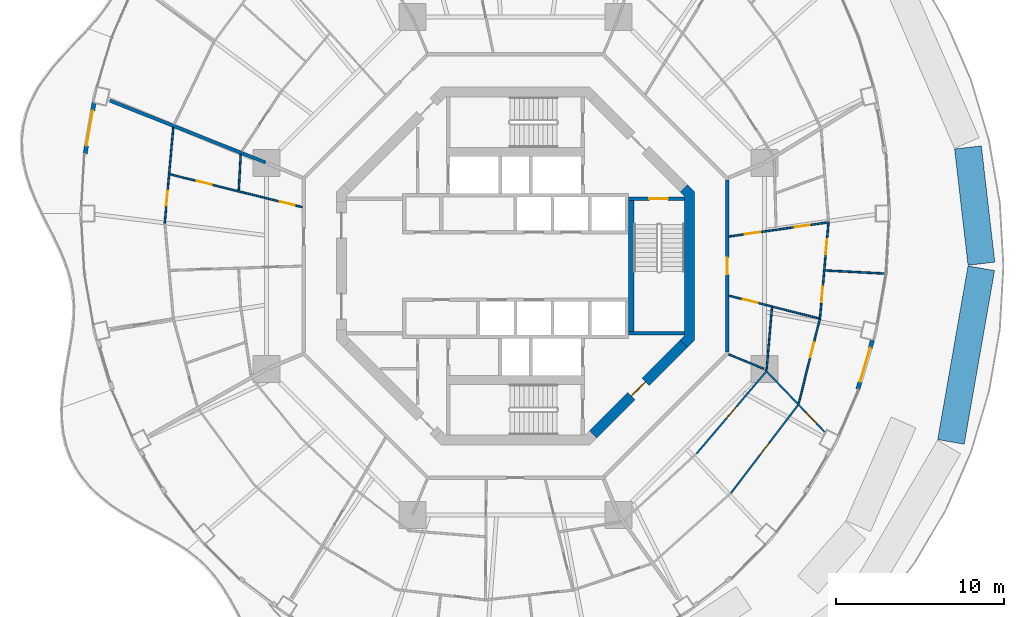
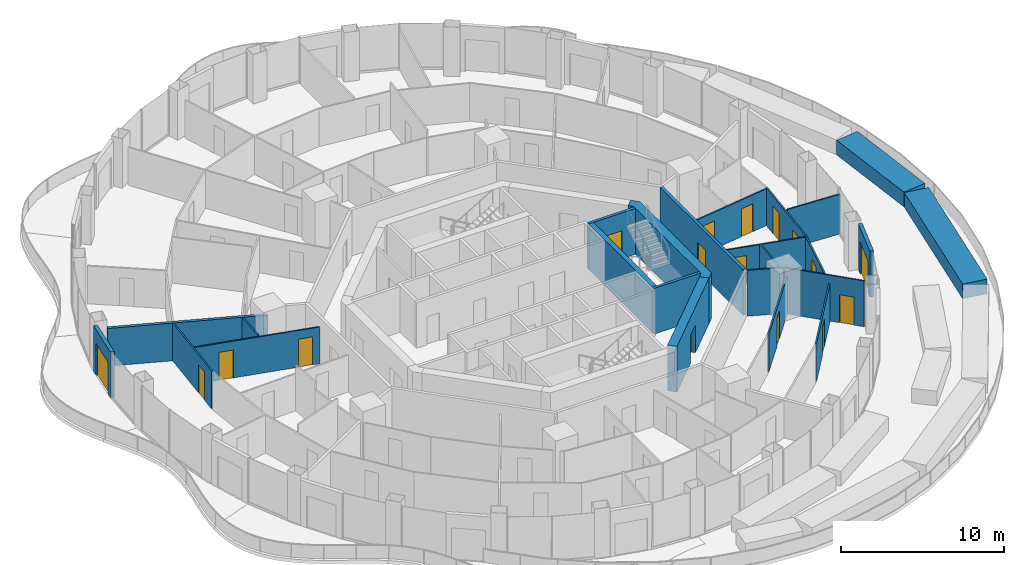
# One storey, part 12 of 18: 24 walls, 17 doors, 17 openings.
"""IFC4 building model written with IfcOpenShell, lengths in metres."""

from ifc_helpers import new_model, si_unit, direction, frame, frame_2d, origin, place, context, subcontext, project, spatial, polyline, rectangle, outline, extrude, material, layer, layer_set, type_object, element, fill, save


model = new_model("IFC4")

# Units and contexts
model_context = context("Model", 3, precision=1e-05, world=origin(), true_north=direction((0.0, 1.0)))
body_context = subcontext(model_context, "Body", "Model", "MODEL_VIEW")
ifc_project = project(units=[si_unit("LENGTHUNIT", "METRE"), si_unit("AREAUNIT", "SQUARE_METRE"), si_unit("VOLUMEUNIT", "CUBIC_METRE"), si_unit("PLANEANGLEUNIT", "RADIAN"), si_unit("MASSUNIT", "GRAM", prefix="KILO")], contexts=[model_context])

# Site, building, storey
site_placement = place(None, origin())
site = spatial("IfcSite", under=ifc_project, at=site_placement, CompositionType="ELEMENT")
building_placement = place(site_placement, origin())
building = spatial("IfcBuilding", under=site, at=building_placement, Name="Nagisa Residences", CompositionType="ELEMENT")
storey_placement = place(building_placement, frame((0.0, 0.0, 212.199951171875)))
storey = spatial("IfcBuildingStorey", under=building, at=storey_placement, Name="L53", CompositionType="ELEMENT", Elevation=212.199951171875)

# Wall
ifc_material_1 = material(Name="Gypsum board on steel studs", Category="steel")
ifc_layer_1 = layer(ifc_material_1, 0.199951171875)
ifc_layer_set_1 = layer_set([ifc_layer_1], Name="Apartment compartment wall EI60 200")
wall_type_1 = type_object("IfcWallType", Name="Apartment compartment wall EI60 200", PredefinedType="PARTITIONING", material=ifc_layer_set_1)
wall_1_placement = place(storey_placement, frame((-14.82861328125, 6.141357421875, 0.0), z_axis=(0.0, 0.0, 1.0), x_axis=(-0.929202069098, 0.36957206981, 0.0)))
element("IfcWall", 1, at=wall_1_placement, inside=storey, type_object=wall_type_1, Name="wall:L53:u03", PredefinedType="PARTITIONING", context=body_context, shape_type="SweptSolid", body=[
    extrude(rectangle(XDim=9.95654296875, YDim=0.199951171875, at=frame_2d((4.978271484375, 0.0))), origin(), (0.0, 0.0, 1.0), 2.837158203125),
])

# Wall, opening, door
ifc_material_2 = material(Name="Gypsum board on steel studs", Category="steel")
ifc_layer_2 = layer(ifc_material_2, 0.199951171875)
ifc_layer_set_2 = layer_set([ifc_layer_2], Name="Apartment entry wall EI60 200")
wall_type_2 = type_object("IfcWallType", Name="Apartment entry wall EI60 200", PredefinedType="PARTITIONING", material=ifc_layer_set_2)
wall_2_placement = place(storey_placement, frame((12.564697265625, -5.1044921875, 0.0), z_axis=(0.0, 0.0, 1.0), x_axis=(0.0, 1.0, 0.0)))
wall_2 = element("IfcWall", 2, at=wall_2_placement, inside=storey, type_object=wall_type_2, Name="wall:L53:u08", PredefinedType="PARTITIONING", context=body_context, shape_type="SweptSolid", body=[
    extrude(rectangle(XDim=10.208984375, YDim=0.199951171875, at=frame_2d((5.1044921875, 0.0))), origin(), (0.0, 0.0, 1.0), 3.43994140625),
])
opening_1_placement = place(wall_2_placement, frame((4.6044921875, 0.0, 0.0)))
opening_1 = element("IfcOpeningElement", 3, at=opening_1_placement, cuts=wall_2, Name="Opening L53-U41", PredefinedType="OPENING", context=body_context, shape_type="SweptSolid", body=[
    extrude(rectangle(XDim=1.0, YDim=2.10009765625, at=frame_2d((0.5, 1.050048828125))), frame((0.0, 0.10986328125, 0.0), z_axis=(0.0, -1.0, 0.0), x_axis=(1.0, 0.0, 0.0)), (0.0, 0.0, 1.0), 0.219970703125),
])
ifc_material_3 = material(Name="Timber fire door set", Category="wood")
door_type_1 = type_object("IfcDoorType", Name="Apartment entry door FD30S 1000x2100", OperationType="NOTDEFINED", PredefinedType="DOOR", material=ifc_material_3)
door_1_placement = place(opening_1_placement, frame((1.0, 0.0, 0.0), x_axis=(-1.0, 0.0, 0.0)))
door_1 = element("IfcDoor", 4, at=door_1_placement, inside=storey, type_object=door_type_1, Name="Entry door, Apartment 53D", OperationType="SINGLE_SWING_RIGHT", OverallHeight=2.10009765625, OverallWidth=1.0, PredefinedType="DOOR", context=body_context, shape_type="SweptSolid", body=[
    extrude(rectangle(XDim=1.0, YDim=2.10009765625, at=frame_2d((0.5, 1.050048828125))), frame((0.0, 0.02490234375, 0.0), z_axis=(0.0, -1.0, 0.0), x_axis=(1.0, 0.0, 0.0)), (0.0, 0.0, 1.0), 0.050048828125),
])
fill(opening_1, door_1)

# Wall, openings, doors
ifc_material_4 = material(Name="Gypsum board on steel studs", Category="steel")
ifc_layer_3 = layer(ifc_material_4, 0.10009765625)
ifc_layer_set_3 = layer_set([ifc_layer_3], Name="Apartment partition 100")
wall_type_3 = type_object("IfcWallType", Name="Apartment partition 100", PredefinedType="PARTITIONING", material=ifc_layer_set_3)
wall_3_placement = place(storey_placement, frame((12.663818359375, 1.7490234375, 0.0), z_axis=(0.0, 0.0, 1.0), x_axis=(0.990000460163, 0.141064130369, 0.0)))
wall_3 = element("IfcWall", 5, at=wall_3_placement, inside=storey, type_object=wall_type_3, Name="wall:L53:u16", PredefinedType="PARTITIONING", context=body_context, shape_type="SweptSolid", body=[
    extrude(rectangle(XDim=6.028076171875, YDim=0.10009765625, at=frame_2d((3.01416015625, 0.0))), origin(), (0.0, 0.0, 1.0), 2.761962890625),
])
opening_2_placement = place(wall_3_placement, frame((0.970458984375, 0.0, 0.0)))
opening_2 = element("IfcOpeningElement", 6, at=opening_2_placement, cuts=wall_3, Name="Opening L53-U43", PredefinedType="OPENING", context=body_context, shape_type="SweptSolid", body=[
    extrude(rectangle(XDim=0.89990234375, YDim=2.10009765625, at=frame_2d((0.449951171875, 1.050048828125))), frame((0.0, 0.06005859375, 0.0), z_axis=(0.0, -1.0, 0.0), x_axis=(1.0, 0.0, 0.0)), (0.0, 0.0, 1.0), 0.1201171875),
])
opening_3_placement = place(wall_3_placement, frame((3.95947265625, 0.0, 0.0)))
opening_3 = element("IfcOpeningElement", 7, at=opening_3_placement, cuts=wall_3, Name="Opening L53-U44", PredefinedType="OPENING", context=body_context, shape_type="SweptSolid", body=[
    extrude(rectangle(XDim=0.89990234375, YDim=2.10009765625, at=frame_2d((0.449951171875, 1.050048828125))), frame((0.0, 0.06005859375, 0.0), z_axis=(0.0, -1.0, 0.0), x_axis=(1.0, 0.0, 0.0)), (0.0, 0.0, 1.0), 0.1201171875),
])
ifc_material_5 = material(Name="Timber door set", Category="wood")
door_type_2 = type_object("IfcDoorType", Name="Apartment door 900x2100", OperationType="NOTDEFINED", PredefinedType="DOOR", material=ifc_material_5)
door_2_placement = place(opening_2_placement, origin())
door_2 = element("IfcDoor", 8, at=door_2_placement, inside=storey, type_object=door_type_2, Name="Door to store, Apartment 53D", OperationType="SINGLE_SWING_LEFT", OverallHeight=2.10009765625, OverallWidth=0.89990234375, PredefinedType="DOOR", context=body_context, shape_type="SweptSolid", body=[
    extrude(rectangle(XDim=0.89990234375, YDim=2.10009765625, at=frame_2d((0.449951171875, 1.050048828125))), frame((0.0, 0.02490234375, 0.0), z_axis=(0.0, -1.0, 0.0), x_axis=(1.0, 0.0, 0.0)), (0.0, 0.0, 1.0), 0.050048828125),
])
fill(opening_2, door_2)
door_3_placement = place(opening_3_placement, origin())
door_3 = element("IfcDoor", 9, at=door_3_placement, inside=storey, type_object=door_type_2, Name="Door to family bathroom, Apartment 53D", OperationType="SINGLE_SWING_RIGHT", OverallHeight=2.10009765625, OverallWidth=0.89990234375, PredefinedType="DOOR", context=body_context, shape_type="SweptSolid", body=[
    extrude(rectangle(XDim=0.89990234375, YDim=2.10009765625, at=frame_2d((0.449951171875, 1.050048828125))), frame((0.0, 0.02490234375, 0.0), z_axis=(0.0, -1.0, 0.0), x_axis=(1.0, 0.0, 0.0)), (0.0, 0.0, 1.0), 0.050048828125),
])
fill(opening_3, door_3)

wall_4_placement = place(storey_placement, frame((18.57763671875, 2.54248046875, 0.0), z_axis=(0.0, 0.0, 1.0), x_axis=(-0.088651453697, -0.996062708748, 0.0)))
wall_4 = element("IfcWall", 10, at=wall_4_placement, inside=storey, type_object=wall_type_3, Name="wall:L53:u19", PredefinedType="PARTITIONING", context=body_context, shape_type="SweptSolid", body=[
    extrude(rectangle(XDim=5.736572265625, YDim=0.10009765625, at=frame_2d((2.8681640625, 0.0))), origin(), (0.0, 0.0, 1.0), 2.837158203125),
])
opening_4_placement = place(wall_4_placement, frame((3.80224609375, 0.0, 0.0)))
opening_4 = element("IfcOpeningElement", 11, at=opening_4_placement, cuts=wall_4, Name="Opening L53-U45", PredefinedType="OPENING", context=body_context, shape_type="SweptSolid", body=[
    extrude(rectangle(XDim=0.89990234375, YDim=2.10009765625, at=frame_2d((0.449951171875, 1.050048828125))), frame((0.0, 0.06005859375, 0.0), z_axis=(0.0, -1.0, 0.0), x_axis=(1.0, 0.0, 0.0)), (0.0, 0.0, 1.0), 0.1201171875),
])
opening_5_placement = place(wall_4_placement, frame((0.958984375, 0.0, 0.0)))
opening_5 = element("IfcOpeningElement", 12, at=opening_5_placement, cuts=wall_4, Name="Opening L53-U46", PredefinedType="OPENING", context=body_context, shape_type="SweptSolid", body=[
    extrude(rectangle(XDim=0.89990234375, YDim=2.10009765625, at=frame_2d((0.449951171875, 1.050048828125))), frame((0.0, 0.06005859375, 0.0), z_axis=(0.0, -1.0, 0.0), x_axis=(1.0, 0.0, 0.0)), (0.0, 0.0, 1.0), 0.1201171875),
])
door_4_placement = place(opening_4_placement, origin())
door_4 = element("IfcDoor", 13, at=door_4_placement, inside=storey, type_object=door_type_2, Name="Door to bedroom, Apartment 53D", OperationType="SINGLE_SWING_LEFT", OverallHeight=2.10009765625, OverallWidth=0.89990234375, PredefinedType="DOOR", context=body_context, shape_type="SweptSolid", body=[
    extrude(rectangle(XDim=0.89990234375, YDim=2.10009765625, at=frame_2d((0.449951171875, 1.050048828125))), frame((0.0, 0.02490234375, 0.0), z_axis=(0.0, -1.0, 0.0), x_axis=(1.0, 0.0, 0.0)), (0.0, 0.0, 1.0), 0.050048828125),
])
fill(opening_4, door_4)
door_5_placement = place(opening_5_placement, origin())
door_5 = element("IfcDoor", 14, at=door_5_placement, inside=storey, type_object=door_type_2, Name="Door to master bedroom, Apartment 53D", OperationType="SINGLE_SWING_RIGHT", OverallHeight=2.10009765625, OverallWidth=0.89990234375, PredefinedType="DOOR", context=body_context, shape_type="SweptSolid", body=[
    extrude(rectangle(XDim=0.89990234375, YDim=2.10009765625, at=frame_2d((0.449951171875, 1.050048828125))), frame((0.0, 0.02490234375, 0.0), z_axis=(0.0, -1.0, 0.0), x_axis=(1.0, 0.0, 0.0)), (0.0, 0.0, 1.0), 0.050048828125),
])
fill(opening_5, door_5)

# Wall
wall_5_placement = place(storey_placement, frame((-16.306884765625, 6.62744140625, 0.0), z_axis=(0.0, 0.0, 1.0), x_axis=(-0.055608865939, -0.998452629837, 0.0)))
element("IfcWall", 15, at=wall_5_placement, inside=storey, type_object=wall_type_3, Name="wall:L53:u54", PredefinedType="PARTITIONING", context=body_context, shape_type="SweptSolid", body=[
    extrude(rectangle(XDim=2.142578125, YDim=0.10009765625, at=frame_2d((1.0712890625, 0.0))), origin(), (0.0, 0.0, 1.0), 2.837158203125),
])

# Wall, opening, door
wall_6_placement = place(storey_placement, frame((-20.3095703125, 8.21826171875, 0.0), z_axis=(0.0, 0.0, 1.0), x_axis=(-0.089284106956, -0.996006198899, 0.0)))
wall_6 = element("IfcWall", 16, at=wall_6_placement, inside=storey, type_object=wall_type_3, Name="wall:L53:u55", PredefinedType="PARTITIONING", context=body_context, shape_type="SweptSolid", body=[
    extrude(rectangle(XDim=5.698486328125, YDim=0.10009765625, at=frame_2d((2.84912109375, 0.0))), origin(), (0.0, 0.0, 1.0), 2.837158203125),
])
opening_6_placement = place(wall_6_placement, frame((3.761474609375, 0.0, 0.0)))
opening_6 = element("IfcOpeningElement", 17, at=opening_6_placement, cuts=wall_6, Name="Opening L53-U25", PredefinedType="OPENING", context=body_context, shape_type="SweptSolid", body=[
    extrude(rectangle(XDim=0.89990234375, YDim=2.10009765625, at=frame_2d((0.449951171875, 1.050048828125))), frame((0.0, 0.06005859375, 0.0), z_axis=(0.0, -1.0, 0.0), x_axis=(1.0, 0.0, 0.0)), (0.0, 0.0, 1.0), 0.1201171875),
])
door_6_placement = place(opening_6_placement, frame((0.89990234375, 0.0, 0.0), x_axis=(-1.0, 0.0, 0.0)))
door_6 = element("IfcDoor", 18, at=door_6_placement, inside=storey, type_object=door_type_2, Name="Door to living room, Apartment 53B", OperationType="SINGLE_SWING_RIGHT", OverallHeight=2.10009765625, OverallWidth=0.89990234375, PredefinedType="DOOR", context=body_context, shape_type="SweptSolid", body=[
    extrude(rectangle(XDim=0.89990234375, YDim=2.10009765625, at=frame_2d((0.449951171875, 1.050048828125))), frame((0.0, 0.02490234375, 0.0), z_axis=(0.0, -1.0, 0.0), x_axis=(1.0, 0.0, 0.0)), (0.0, 0.0, 1.0), 0.050048828125),
])
fill(opening_6, door_6)

# Wall, openings, doors
wall_7_placement = place(storey_placement, frame((-12.661865234375, 3.49365234375, 0.0), z_axis=(0.0, 0.0, 1.0), x_axis=(-0.970505526029, 0.241078874951, 0.0)))
wall_7 = element("IfcWall", 19, at=wall_7_placement, inside=storey, type_object=wall_type_3, Name="wall:L53:u56", PredefinedType="PARTITIONING", context=body_context, shape_type="SweptSolid", body=[
    extrude(rectangle(XDim=8.08544921875, YDim=0.10009765625, at=frame_2d((4.042724609375, 0.0))), origin(), (0.0, 0.0, 1.0), 2.761962890625),
])
opening_7_placement = place(wall_7_placement, frame((0.464111328125, 0.0, 0.0)))
opening_7 = element("IfcOpeningElement", 20, at=opening_7_placement, cuts=wall_7, Name="Opening L53-U21", PredefinedType="OPENING", context=body_context, shape_type="SweptSolid", body=[
    extrude(rectangle(XDim=0.89990234375, YDim=2.10009765625, at=frame_2d((0.449951171875, 1.050048828125))), frame((0.0, 0.06005859375, 0.0), z_axis=(0.0, -1.0, 0.0), x_axis=(1.0, 0.0, 0.0)), (0.0, 0.0, 1.0), 0.1201171875),
])
opening_8_placement = place(wall_7_placement, frame((5.53466796875, 0.0, 0.0)))
opening_8 = element("IfcOpeningElement", 21, at=opening_8_placement, cuts=wall_7, Name="Opening L53-U23", PredefinedType="OPENING", context=body_context, shape_type="SweptSolid", body=[
    extrude(rectangle(XDim=0.89990234375, YDim=2.10009765625, at=frame_2d((0.449951171875, 1.050048828125))), frame((0.0, 0.06005859375, 0.0), z_axis=(0.0, -1.0, 0.0), x_axis=(1.0, 0.0, 0.0)), (0.0, 0.0, 1.0), 0.1201171875),
])
door_7_placement = place(opening_7_placement, frame((0.89990234375, 0.0, 0.0), x_axis=(-1.0, 0.0, 0.0)))
door_7 = element("IfcDoor", 22, at=door_7_placement, inside=storey, type_object=door_type_2, Name="Door to family bathroom, Apartment 53B", OperationType="SINGLE_SWING_RIGHT", OverallHeight=2.10009765625, OverallWidth=0.89990234375, PredefinedType="DOOR", context=body_context, shape_type="SweptSolid", body=[
    extrude(rectangle(XDim=0.89990234375, YDim=2.10009765625, at=frame_2d((0.449951171875, 1.050048828125))), frame((0.0, 0.02490234375, 0.0), z_axis=(0.0, -1.0, 0.0), x_axis=(1.0, 0.0, 0.0)), (0.0, 0.0, 1.0), 0.050048828125),
])
fill(opening_7, door_7)
door_8_placement = place(opening_8_placement, frame((0.89990234375, 0.0, 0.0), x_axis=(-1.0, 0.0, 0.0)))
door_8 = element("IfcDoor", 23, at=door_8_placement, inside=storey, type_object=door_type_2, Name="Door to family bathroom, Apartment 53B", OperationType="SINGLE_SWING_RIGHT", OverallHeight=2.10009765625, OverallWidth=0.89990234375, PredefinedType="DOOR", context=body_context, shape_type="SweptSolid", body=[
    extrude(rectangle(XDim=0.89990234375, YDim=2.10009765625, at=frame_2d((0.449951171875, 1.050048828125))), frame((0.0, 0.02490234375, 0.0), z_axis=(0.0, -1.0, 0.0), x_axis=(1.0, 0.0, 0.0)), (0.0, 0.0, 1.0), 0.050048828125),
])
fill(opening_8, door_8)

# Wall, opening, door
wall_8_placement = place(storey_placement, frame((10.7529296875, -11.13232421875, 0.0), z_axis=(0.0, 0.0, 1.0), x_axis=(0.647001799757, 0.762488472773, 0.0)))
wall_8 = element("IfcWall", 24, at=wall_8_placement, inside=storey, type_object=wall_type_3, Name="wall:L53:u84", PredefinedType="PARTITIONING", context=body_context, shape_type="SweptSolid", body=[
    extrude(rectangle(XDim=6.35888671875, YDim=0.10009765625, at=frame_2d((3.179443359375, 0.0))), origin(), (0.0, 0.0, 1.0), 2.837158203125),
])
opening_9_placement = place(wall_8_placement, frame((2.75439453125, 0.0, 0.0)))
opening_9 = element("IfcOpeningElement", 25, at=opening_9_placement, cuts=wall_8, Name="Opening L53-U51", PredefinedType="OPENING", context=body_context, shape_type="SweptSolid", body=[
    extrude(rectangle(XDim=0.89990234375, YDim=2.10009765625, at=frame_2d((0.449951171875, 1.050048828125))), frame((0.0, 0.06005859375, 0.0), z_axis=(0.0, -1.0, 0.0), x_axis=(1.0, 0.0, 0.0)), (0.0, 0.0, 1.0), 0.1201171875),
])
door_9_placement = place(opening_9_placement, origin())
door_9 = element("IfcDoor", 26, at=door_9_placement, inside=storey, type_object=door_type_2, Name="Door to store, Apartment 53D", OperationType="SINGLE_SWING_LEFT", OverallHeight=2.10009765625, OverallWidth=0.89990234375, PredefinedType="DOOR", context=body_context, shape_type="SweptSolid", body=[
    extrude(rectangle(XDim=0.89990234375, YDim=2.10009765625, at=frame_2d((0.449951171875, 1.050048828125))), frame((0.0, 0.02490234375, 0.0), z_axis=(0.0, -1.0, 0.0), x_axis=(1.0, 0.0, 0.0)), (0.0, 0.0, 1.0), 0.050048828125),
])
fill(opening_9, door_9)

wall_9_placement = place(storey_placement, frame((12.7822265625, -13.490966796875, 0.0), z_axis=(0.0, 0.0, 1.0), x_axis=(0.606136140755, 0.795360911078, 0.0)))
wall_9 = element("IfcWall", 27, at=wall_9_placement, inside=storey, type_object=wall_type_3, Name="wall:L53:u85", PredefinedType="PARTITIONING", context=body_context, shape_type="SweptSolid", body=[
    extrude(rectangle(XDim=6.56982421875, YDim=0.10009765625, at=frame_2d((3.284912109375, 0.0))), origin(), (0.0, 0.0, 1.0), 2.837158203125),
])
opening_10_placement = place(wall_9_placement, frame((2.85986328125, 0.0, 0.0)))
opening_10 = element("IfcOpeningElement", 28, at=opening_10_placement, cuts=wall_9, Name="Opening L53-U50", PredefinedType="OPENING", context=body_context, shape_type="SweptSolid", body=[
    extrude(rectangle(XDim=0.89990234375, YDim=2.10009765625, at=frame_2d((0.449951171875, 1.050048828125))), frame((0.0, 0.06005859375, 0.0), z_axis=(0.0, -1.0, 0.0), x_axis=(1.0, 0.0, 0.0)), (0.0, 0.0, 1.0), 0.1201171875),
])
door_10_placement = place(opening_10_placement, origin())
door_10 = element("IfcDoor", 29, at=door_10_placement, inside=storey, type_object=door_type_2, Name="Door to kitchen, Apartment 53D", OperationType="SINGLE_SWING_RIGHT", OverallHeight=2.10009765625, OverallWidth=0.89990234375, PredefinedType="DOOR", context=body_context, shape_type="SweptSolid", body=[
    extrude(rectangle(XDim=0.89990234375, YDim=2.10009765625, at=frame_2d((0.449951171875, 1.050048828125))), frame((0.0, 0.02490234375, 0.0), z_axis=(0.0, -1.0, 0.0), x_axis=(1.0, 0.0, 0.0)), (0.0, 0.0, 1.0), 0.050048828125),
])
fill(opening_10, door_10)

# Wall
wall_10_placement = place(storey_placement, frame((12.6572265625, -5.24267578125, 0.0), z_axis=(0.0, 0.0, 1.0), x_axis=(0.923864733477, -0.382719158442, 0.0)))
element("IfcWall", 30, at=wall_10_placement, inside=storey, type_object=wall_type_3, Name="wall:L53:u86", PredefinedType="PARTITIONING", context=body_context, shape_type="SweptSolid", body=[
    extrude(rectangle(XDim=2.25, YDim=0.10009765625, at=frame_2d((1.125, 0.0))), origin(), (0.0, 0.0, 1.0), 3.43994140625),
])

# Wall, opening, door
wall_11_placement = place(storey_placement, frame((14.816650390625, -6.1591796875, 0.0), z_axis=(0.0, 0.0, 1.0), x_axis=(0.691437669875, -0.722436120828, 0.0)))
wall_11 = element("IfcWall", 31, at=wall_11_placement, inside=storey, type_object=wall_type_3, Name="wall:L53:u87", PredefinedType="PARTITIONING", context=body_context, shape_type="SweptSolid", body=[
    extrude(rectangle(XDim=5.103515625, YDim=0.10009765625, at=frame_2d((2.5517578125, 0.0))), origin(), (0.0, 0.0, 1.0), 3.43994140625),
])
opening_11_placement = place(wall_11_placement, frame((3.5322265625, 0.0, 0.0)))
opening_11 = element("IfcOpeningElement", 32, at=opening_11_placement, cuts=wall_11, Name="Opening L53-U49", PredefinedType="OPENING", context=body_context, shape_type="SweptSolid", body=[
    extrude(rectangle(XDim=0.89990234375, YDim=2.10009765625, at=frame_2d((0.449951171875, 1.050048828125))), frame((0.0, 0.06005859375, 0.0), z_axis=(0.0, -1.0, 0.0), x_axis=(1.0, 0.0, 0.0)), (0.0, 0.0, 1.0), 0.1201171875),
])
door_11_placement = place(opening_11_placement, frame((0.89990234375, 0.0, 0.0), x_axis=(-1.0, 0.0, 0.0)))
door_11 = element("IfcDoor", 33, at=door_11_placement, inside=storey, type_object=door_type_2, Name="Door to family room, Apartment 53D", OperationType="SINGLE_SWING_RIGHT", OverallHeight=2.10009765625, OverallWidth=0.89990234375, PredefinedType="DOOR", context=body_context, shape_type="SweptSolid", body=[
    extrude(rectangle(XDim=0.89990234375, YDim=2.10009765625, at=frame_2d((0.449951171875, 1.050048828125))), frame((0.0, 0.02490234375, 0.0), z_axis=(0.0, -1.0, 0.0), x_axis=(1.0, 0.0, 0.0)), (0.0, 0.0, 1.0), 0.050048828125),
])
fill(opening_11, door_11)

# Wall
wall_12_placement = place(storey_placement, frame((14.90380859375, -6.19580078125, 0.0), z_axis=(0.0, 0.0, 1.0), x_axis=(0.085843822439, 0.996308605879, 0.0)))
element("IfcWall", 34, at=wall_12_placement, inside=storey, type_object=wall_type_3, Name="wall:L53:u88", PredefinedType="PARTITIONING", context=body_context, shape_type="SweptSolid", body=[
    extrude(rectangle(XDim=3.754150390625, YDim=0.10009765625, at=frame_2d((1.876953125, 0.0))), origin(), (0.0, 0.0, 1.0), 2.837158203125),
])

# Wall, opening, door
wall_13_placement = place(storey_placement, frame((16.806884765625, -8.17724609375, 0.0), z_axis=(0.0, 0.0, 1.0), x_axis=(0.243002985225, 0.970025540474, 0.0)))
wall_13 = element("IfcWall", 35, at=wall_13_placement, inside=storey, type_object=wall_type_3, Name="wall:L53:u89", PredefinedType="PARTITIONING", context=body_context, shape_type="SweptSolid", body=[
    extrude(rectangle(XDim=5.162109375, YDim=0.10009765625, at=frame_2d((2.5810546875, 0.0))), origin(), (0.0, 0.0, 1.0), 2.837158203125),
])
opening_12_placement = place(wall_13_placement, frame((2.843505859375, 0.0, 0.0)))
opening_12 = element("IfcOpeningElement", 36, at=opening_12_placement, cuts=wall_13, Name="Opening L53-U47", PredefinedType="OPENING", context=body_context, shape_type="SweptSolid", body=[
    extrude(rectangle(XDim=0.89990234375, YDim=2.10009765625, at=frame_2d((0.449951171875, 1.050048828125))), frame((0.0, 0.06005859375, 0.0), z_axis=(0.0, -1.0, 0.0), x_axis=(1.0, 0.0, 0.0)), (0.0, 0.0, 1.0), 0.1201171875),
])
door_12_placement = place(opening_12_placement, origin())
door_12 = element("IfcDoor", 37, at=door_12_placement, inside=storey, type_object=door_type_2, Name="Door to en-suite bathroom, Apartment 53D", OperationType="SINGLE_SWING_LEFT", OverallHeight=2.10009765625, OverallWidth=0.89990234375, PredefinedType="DOOR", context=body_context, shape_type="SweptSolid", body=[
    extrude(rectangle(XDim=0.89990234375, YDim=2.10009765625, at=frame_2d((0.449951171875, 1.050048828125))), frame((0.0, 0.02490234375, 0.0), z_axis=(0.0, -1.0, 0.0), x_axis=(1.0, 0.0, 0.0)), (0.0, 0.0, 1.0), 0.050048828125),
])
fill(opening_12, door_12)

wall_14_placement = place(storey_placement, frame((12.66162109375, -1.75927734375, 0.0), z_axis=(0.0, 0.0, 1.0), x_axis=(0.969746519828, -0.24411408661, 0.0)))
wall_14 = element("IfcWall", 38, at=wall_14_placement, inside=storey, type_object=wall_type_3, Name="wall:L53:u90", PredefinedType="PARTITIONING", context=body_context, shape_type="SweptSolid", body=[
    extrude(rectangle(XDim=5.530517578125, YDim=0.10009765625, at=frame_2d((2.76513671875, 0.0))), origin(), (0.0, 0.0, 1.0), 2.761962890625),
])
opening_13_placement = place(wall_14_placement, frame((0.874267578125, 0.0, 0.0)))
opening_13 = element("IfcOpeningElement", 39, at=opening_13_placement, cuts=wall_14, Name="Opening L53-U42", PredefinedType="OPENING", context=body_context, shape_type="SweptSolid", body=[
    extrude(rectangle(XDim=0.89990234375, YDim=2.10009765625, at=frame_2d((0.449951171875, 1.050048828125))), frame((0.0, 0.06005859375, 0.0), z_axis=(0.0, -1.0, 0.0), x_axis=(1.0, 0.0, 0.0)), (0.0, 0.0, 1.0), 0.1201171875),
])
door_13_placement = place(opening_13_placement, frame((0.89990234375, 0.0, 0.0), x_axis=(-1.0, 0.0, 0.0)))
door_13 = element("IfcDoor", 40, at=door_13_placement, inside=storey, type_object=door_type_2, Name="Door to family bathroom, Apartment 53D", OperationType="SINGLE_SWING_LEFT", OverallHeight=2.10009765625, OverallWidth=0.89990234375, PredefinedType="DOOR", context=body_context, shape_type="SweptSolid", body=[
    extrude(rectangle(XDim=0.89990234375, YDim=2.10009765625, at=frame_2d((0.449951171875, 1.050048828125))), frame((0.0, 0.02490234375, 0.0), z_axis=(0.0, -1.0, 0.0), x_axis=(1.0, 0.0, 0.0)), (0.0, 0.0, 1.0), 0.050048828125),
])
fill(opening_13, door_13)

# Wall
wall_15_placement = place(storey_placement, frame((18.377685546875, -0.26708984375, 0.0), z_axis=(0.0, 0.0, 1.0), x_axis=(0.998670331817, -0.051551608585, 0.0)))
element("IfcWall", 41, at=wall_15_placement, inside=storey, type_object=wall_type_3, Name="wall:L53:u91", PredefinedType="PARTITIONING", context=body_context, shape_type="SweptSolid", body=[
    extrude(rectangle(XDim=3.6513671875, YDim=0.10009765625, at=frame_2d((1.82568359375, 0.0))), origin(), (0.0, 0.0, 1.0), 2.983154296875),
])

# Wall, opening, door
ifc_material_6 = material(Name="Precast concrete C40/50", Category="concrete")
ifc_layer_4 = layer(ifc_material_6, 0.25)
ifc_layer_set_4 = layer_set([ifc_layer_4], Name="BALCONY DOOR WALL 250")
wall_type_4 = type_object("IfcWallType", Name="BALCONY DOOR WALL 250", PredefinedType="SOLIDWALL", material=ifc_layer_set_4)
wall_16_placement = place(storey_placement, frame((-25.541015625, 6.67138671875, 0.0), z_axis=(0.0, 0.0, 1.0), x_axis=(0.172254823677, 0.985052422828, 0.0)))
wall_16 = element("IfcWall", 42, at=wall_16_placement, inside=storey, type_object=wall_type_4, Name="wall:L53:bay22", PredefinedType="SOLIDWALL", context=body_context, shape_type="SweptSolid", body=[
    extrude(rectangle(XDim=3.067138671875, YDim=0.25, at=frame_2d((1.53369140625, 0.0))), origin(), (0.0, 0.0, 1.0), 3.43994140625),
])
opening_14_placement = place(wall_16_placement, frame((0.483642578125, 0.0, 0.0)))
opening_14 = element("IfcOpeningElement", 43, at=opening_14_placement, cuts=wall_16, Name="Opening BD-L53-08", PredefinedType="OPENING", context=body_context, shape_type="SweptSolid", body=[
    extrude(rectangle(XDim=2.10009765625, YDim=2.39990234375, at=frame_2d((1.050048828125, 1.199951171875))), frame((0.0, 0.135009765625, 0.0), z_axis=(0.0, -1.0, 0.0), x_axis=(1.0, 0.0, 0.0)), (0.0, 0.0, 1.0), 0.27001953125),
])
ifc_material_7 = material(Name="Aluminium and clear glass", Category="aluminium")
door_type_3 = type_object("IfcDoorType", Name="BALCONY SLIDING DOOR 2100x2400", OperationType="SLIDING_TO_LEFT", PredefinedType="DOOR", material=ifc_material_7)
door_14_placement = place(opening_14_placement, origin())
door_14 = element("IfcDoor", 44, at=door_14_placement, inside=storey, type_object=door_type_3, Name="door:L53:bay22", OperationType="SLIDING_TO_LEFT", OverallHeight=2.39990234375, OverallWidth=2.10009765625, PredefinedType="DOOR", context=body_context, shape_type="SweptSolid", body=[
    extrude(rectangle(XDim=2.10009765625, YDim=2.39990234375, at=frame_2d((1.050048828125, 1.199951171875))), frame((0.0, 0.02490234375, 0.0), z_axis=(0.0, -1.0, 0.0), x_axis=(1.0, 0.0, 0.0)), (0.0, 0.0, 1.0), 0.050048828125),
])
fill(opening_14, door_14)

wall_17_placement = place(storey_placement, frame((21.18701171875, -4.414794921875, 0.0), z_axis=(0.0, 0.0, 1.0), x_axis=(-0.285785716255, -0.958293548128, 0.0)))
wall_17 = element("IfcWall", 45, at=wall_17_placement, inside=storey, type_object=wall_type_4, Name="wall:L53:bay45", PredefinedType="SOLIDWALL", context=body_context, shape_type="SweptSolid", body=[
    extrude(rectangle(XDim=3.040283203125, YDim=0.25, at=frame_2d((1.52001953125, 0.0))), origin(), (0.0, 0.0, 1.0), 3.43994140625),
])
opening_15_placement = place(wall_17_placement, frame((0.47021484375, 0.0, 0.0)))
opening_15 = element("IfcOpeningElement", 46, at=opening_15_placement, cuts=wall_17, Name="Opening BD-L53-16", PredefinedType="OPENING", context=body_context, shape_type="SweptSolid", body=[
    extrude(rectangle(XDim=2.10009765625, YDim=2.39990234375, at=frame_2d((1.050048828125, 1.199951171875))), frame((0.0, 0.135009765625, 0.0), z_axis=(0.0, -1.0, 0.0), x_axis=(1.0, 0.0, 0.0)), (0.0, 0.0, 1.0), 0.27001953125),
])
door_15_placement = place(opening_15_placement, origin())
door_15 = element("IfcDoor", 47, at=door_15_placement, inside=storey, type_object=door_type_3, Name="door:L53:bay45", OperationType="SLIDING_TO_LEFT", OverallHeight=2.39990234375, OverallWidth=2.10009765625, PredefinedType="DOOR", context=body_context, shape_type="SweptSolid", body=[
    extrude(rectangle(XDim=2.10009765625, YDim=2.39990234375, at=frame_2d((1.050048828125, 1.199951171875))), frame((0.0, 0.02490234375, 0.0), z_axis=(0.0, -1.0, 0.0), x_axis=(1.0, 0.0, 0.0)), (0.0, 0.0, 1.0), 0.050048828125),
])
fill(opening_15, door_15)

ifc_material_8 = material(Name="Concrete C60", Category="concrete")
ifc_layer_5 = layer(ifc_material_8, 0.60009765625)
ifc_layer_set_5 = layer_set([ifc_layer_5], Name="Core shear wall 600")
wall_type_5 = type_object("IfcWallType", Name="Core shear wall 600", PredefinedType="SHEAR", material=ifc_layer_set_5)
wall_18_placement = place(storey_placement, frame((4.613037109375, -9.98828125, 0.0), z_axis=(0.0, 0.0, 1.0), x_axis=(0.707106781187, 0.707106781187, 0.0)))
wall_18 = element("IfcWall", 48, at=wall_18_placement, inside=storey, type_object=wall_type_5, Name="wall:L53:core:flat7", PredefinedType="SHEAR", context=body_context, shape_type="SweptSolid", body=[
    extrude(rectangle(XDim=7.601806640625, YDim=0.60009765625, at=frame_2d((3.80078125, 0.0))), origin(), (0.0, 0.0, 1.0), 3.43994140625),
])
opening_16_placement = place(wall_18_placement, frame((3.200927734375, 0.0, 0.0)))
opening_16 = element("IfcOpeningElement", 49, at=opening_16_placement, cuts=wall_18, Name="Opening L53-C19", PredefinedType="OPENING", context=body_context, shape_type="SweptSolid", body=[
    extrude(rectangle(XDim=1.199951171875, YDim=2.10009765625, at=frame_2d((0.60009765625, 1.050048828125))), frame((0.0, 0.31005859375, 0.0), z_axis=(0.0, -1.0, 0.0), x_axis=(1.0, 0.0, 0.0)), (0.0, 0.0, 1.0), 0.6201171875),
])
ifc_material_9 = material(Name="Steel fire door", Category="steel")
door_type_4 = type_object("IfcDoorType", Name="Fire door EI60 1200x2100 single swing", OperationType="NOTDEFINED", PredefinedType="DOOR", material=ifc_material_9)
door_16_placement = place(opening_16_placement, origin())
door_16 = element("IfcDoor", 50, at=door_16_placement, inside=storey, type_object=door_type_4, Name="Firefighting lobby 2 door L53", OperationType="SINGLE_SWING_LEFT", OverallHeight=2.10009765625, OverallWidth=1.199951171875, PredefinedType="DOOR", context=body_context, shape_type="SweptSolid", body=[
    extrude(rectangle(XDim=1.199951171875, YDim=2.10009765625, at=frame_2d((0.60009765625, 1.050048828125))), frame((0.0, 0.02490234375, 0.0), z_axis=(0.0, -1.0, 0.0), x_axis=(1.0, 0.0, 0.0)), (0.0, 0.0, 1.0), 0.050048828125),
])
fill(opening_16, door_16)

# Walls
wall_19_placement = place(storey_placement, origin())
element("IfcWall", 51, at=wall_19_placement, inside=storey, type_object=wall_type_5, Name="wall:L53:core:flat0", PredefinedType="SHEAR", context=body_context, shape_type="SweptSolid", body=[
    extrude(outline(polyline([(9.776123046875, -4.40087890625), (10.024658203125, -4.15234375), (10.024658203125, -3.801025390625), (10.024658203125, 4.15234375), (9.776123046875, 4.40087890625), (10.200439453125, 4.8251953125), (10.62451171875, 4.40087890625), (10.62451171875, -4.40087890625), (10.200439453125, -4.8251953125), (9.776123046875, -4.40087890625)])), origin(), (0.0, 0.0, 1.0), 3.43994140625),
])
ifc_material_10 = material(Name="Precast concrete C30/37", Category="concrete")
ifc_layer_6 = layer(ifc_material_10, 1.60009765625)
ifc_layer_set_6 = layer_set([ifc_layer_6], Name="PLANTER")
wall_type_6 = type_object("IfcWallType", Name="PLANTER", PredefinedType="SOLIDWALL", material=ifc_layer_set_6)
wall_20_placement = place(storey_placement, frame((26.85888671875, 7.037353515625, 0.0), z_axis=(0.0, 0.0, 1.0), x_axis=(0.114900177917, -0.993377042776, 0.0)))
element("IfcWall", 52, at=wall_20_placement, inside=storey, type_object=wall_type_6, Name="planter:L53:garden009", PredefinedType="SOLIDWALL", context=body_context, shape_type="SweptSolid", body=[
    extrude(rectangle(XDim=6.947998046875, YDim=1.60009765625, at=frame_2d((3.47412109375, 0.0))), origin(), (0.0, 0.0, 1.0), 1.10009765625),
])
wall_21_placement = place(storey_placement, frame((27.6494140625, -0.134033203125, 0.0), z_axis=(0.0, 0.0, 1.0), x_axis=(-0.172138665329, -0.985072728228, 0.0)))
element("IfcWall", 53, at=wall_21_placement, inside=storey, type_object=wall_type_6, Name="planter:L53:garden010", PredefinedType="SOLIDWALL", context=body_context, shape_type="SweptSolid", body=[
    extrude(rectangle(XDim=10.464111328125, YDim=1.60009765625, at=frame_2d((5.23193359375, 0.0))), origin(), (0.0, 0.0, 1.0), 1.10009765625),
])

# Wall, opening, door
ifc_material_11 = material(Name="Concrete C60", Category="concrete")
ifc_layer_7 = layer(ifc_material_11, 0.199951171875)
ifc_layer_set_7 = layer_set([ifc_layer_7], Name="Stair enclosure wall 200")
wall_type_7 = type_object("IfcWallType", Name="Stair enclosure wall 200", PredefinedType="SOLIDWALL", material=ifc_layer_set_7)
wall_22_placement = place(storey_placement, frame((6.699951171875, 4.0, 0.0), z_axis=(0.0, 0.0, 1.0), x_axis=(1.0, 0.0, 0.0)))
wall_22 = element("IfcWall", 54, at=wall_22_placement, inside=storey, type_object=wall_type_7, Name="wall:L53:SE_n", PredefinedType="SOLIDWALL", context=body_context, shape_type="SweptSolid", body=[
    extrude(rectangle(XDim=3.32470703125, YDim=0.199951171875, at=frame_2d((1.662353515625, 0.0))), origin(), (0.0, 0.0, 1.0), 3.43994140625),
])
opening_17_placement = place(wall_22_placement, frame((1.25, 0.0, 0.0)))
opening_17 = element("IfcOpeningElement", 55, at=opening_17_placement, cuts=wall_22, Name="Opening L53-C08", PredefinedType="OPENING", context=body_context, shape_type="SweptSolid", body=[
    extrude(rectangle(XDim=1.10009765625, YDim=2.10009765625, at=frame_2d((0.550048828125, 1.050048828125))), frame((0.0, 0.10986328125, 0.0), z_axis=(0.0, -1.0, 0.0), x_axis=(1.0, 0.0, 0.0)), (0.0, 0.0, 1.0), 0.219970703125),
])
ifc_material_12 = material(Name="Steel fire door", Category="steel")
door_type_5 = type_object("IfcDoorType", Name="Fire door EI90 1100x2100 single swing", OperationType="NOTDEFINED", PredefinedType="DOOR", material=ifc_material_12)
door_17_placement = place(opening_17_placement, frame((1.10009765625, 0.0, 0.0), x_axis=(-1.0, 0.0, 0.0)))
door_17 = element("IfcDoor", 56, at=door_17_placement, inside=storey, type_object=door_type_5, Name="Stair door ST-E L53", OperationType="SINGLE_SWING_LEFT", OverallHeight=2.10009765625, OverallWidth=1.10009765625, PredefinedType="DOOR", context=body_context, shape_type="SweptSolid", body=[
    extrude(rectangle(XDim=1.10009765625, YDim=2.10009765625, at=frame_2d((0.550048828125, 1.050048828125))), frame((0.0, 0.02490234375, 0.0), z_axis=(0.0, -1.0, 0.0), x_axis=(1.0, 0.0, 0.0)), (0.0, 0.0, 1.0), 0.050048828125),
])
fill(opening_17, door_17)

# Walls
wall_23_placement = place(storey_placement, origin())
element("IfcWall", 57, at=wall_23_placement, inside=storey, type_object=wall_type_7, Name="wall:L53:SE_w", PredefinedType="SOLIDWALL", context=body_context, shape_type="SweptSolid", body=[
    extrude(outline(polyline([(7.024658203125, -3.89990234375), (6.699951171875, -3.89990234375), (6.699951171875, 3.89990234375), (7.024658203125, 3.89990234375), (7.024658203125, -3.89990234375)])), origin(), (0.0, 0.0, 1.0), 3.43994140625),
])
wall_24_placement = place(storey_placement, origin())
element("IfcWall", 58, at=wall_24_placement, inside=storey, type_object=wall_type_7, Name="wall:L53:SE_s", PredefinedType="SOLIDWALL", context=body_context, shape_type="SweptSolid", body=[
    extrude(outline(polyline([(10.024658203125, -4.10009765625), (6.699951171875, -4.10009765625), (6.699951171875, -3.89990234375), (10.024658203125, -3.89990234375), (10.024658203125, -4.10009765625)])), origin(), (0.0, 0.0, 1.0), 3.43994140625),
])

save(model, "model.ifc")
